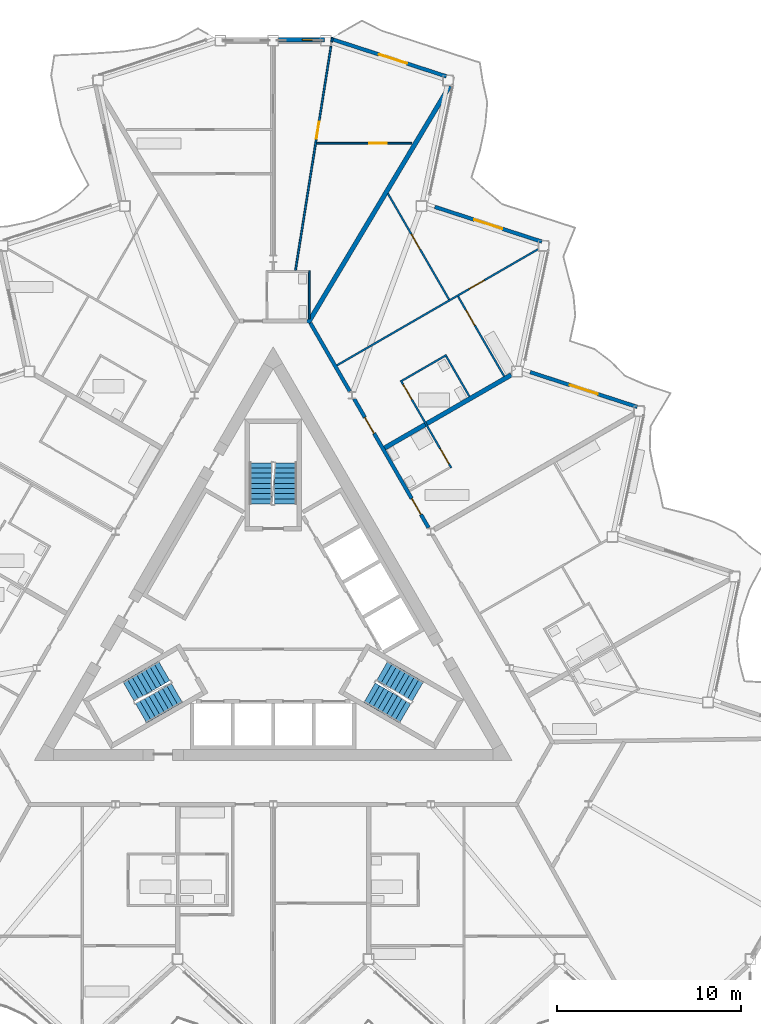
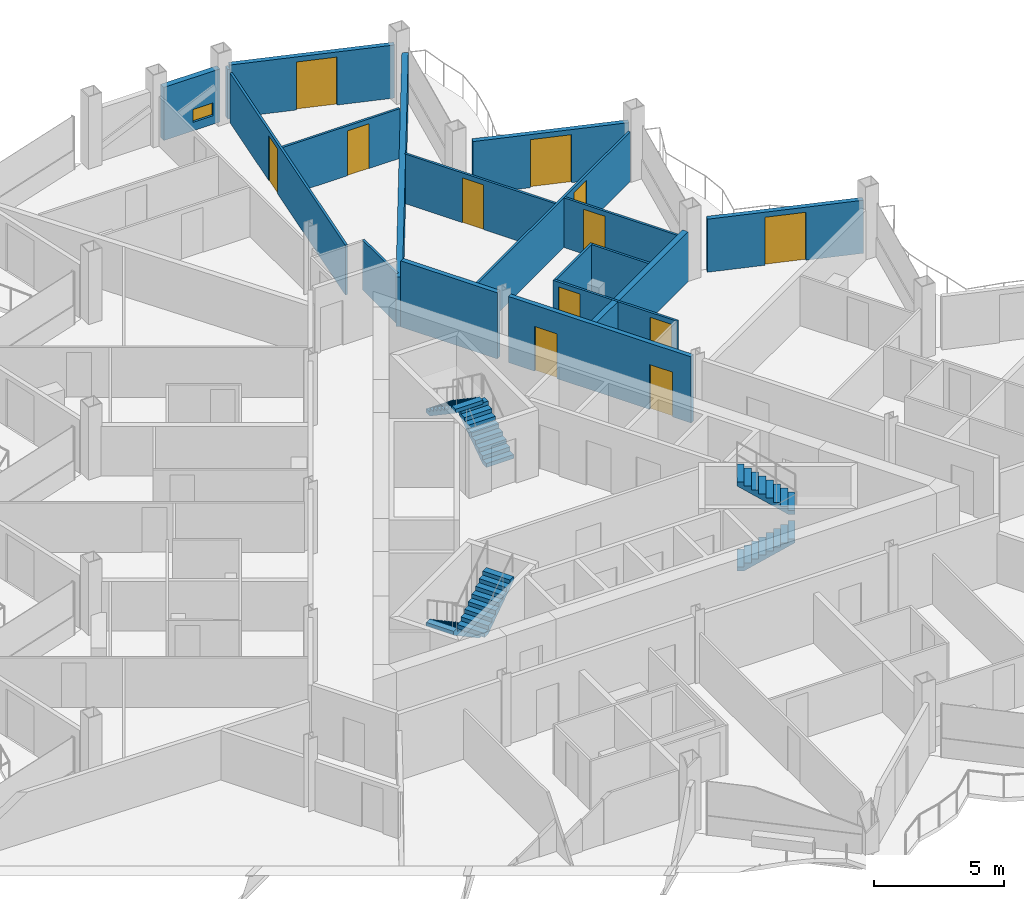
# One storey, part 18 of 26: 18 walls, 12 doors, 6 stair flights, 1 window, 13 openings, 3 elements without a shape of their own.
"""IFC4 building model written with IfcOpenShell, lengths in metres."""

from ifc_helpers import new_model, si_unit, direction, frame, frame_2d, origin, place, context, subcontext, project, spatial, polyline, rectangle, outline, extrude, material, layer, layer_set, type_object, element, fill, aggregate, save


model = new_model("IFC4")

# Units and contexts
model_context = context("Model", 3, precision=1e-05, world=origin(), true_north=direction((0.0, 1.0)))
body_context = subcontext(model_context, "Body", "Model", "MODEL_VIEW")
ifc_project = project(units=[si_unit("LENGTHUNIT", "METRE"), si_unit("AREAUNIT", "SQUARE_METRE"), si_unit("VOLUMEUNIT", "CUBIC_METRE"), si_unit("PLANEANGLEUNIT", "RADIAN"), si_unit("MASSUNIT", "GRAM", prefix="KILO")], contexts=[model_context])

# Site, building, storey
site_placement = place(None, origin())
site = spatial("IfcSite", under=ifc_project, at=site_placement, CompositionType="ELEMENT")
building_placement = place(site_placement, origin())
building = spatial("IfcBuilding", under=site, at=building_placement, Name="Cormorant Prow Tower", CompositionType="ELEMENT")
storey_placement = place(building_placement, frame((0.0, 0.0, 325.60009765625)))
storey = spatial("IfcBuildingStorey", under=building, at=storey_placement, Name="L72", CompositionType="ELEMENT", Elevation=325.60009765625)

# Wall, openings, doors
ifc_material_1 = material(Name="Gypsum board corridor wall")
ifc_layer_1 = layer(ifc_material_1, 0.199951171875)
ifc_layer_set_1 = layer_set([ifc_layer_1], Name="Gypsum board corridor wall")
wall_type_1 = type_object("IfcWallType", Name="Corridor wall 200", PredefinedType="PARTITIONING", material=ifc_layer_set_1)
wall_1_placement = place(storey_placement, frame((4.4091796875, 12.17431640625, 0.0), z_axis=(0.0, 0.0, 1.0), x_axis=(0.499984266882, -0.866034487114, 0.0)))
wall_1 = element("IfcWall", 1, at=wall_1_placement, inside=storey, type_object=wall_type_1, Name="Corridor wall", PredefinedType="PARTITIONING", context=body_context, shape_type="SweptSolid", body=[
    extrude(rectangle(XDim=8.098876953125, YDim=0.199951171875, at=frame_2d((4.04931640625, 0.0))), origin(), (0.0, 0.0, 1.0), 3.099853515625),
])
opening_1_placement = place(wall_1_placement, frame((6.268798828125, 0.0, 0.0)))
opening_1 = element("IfcOpeningElement", 2, at=opening_1_placement, cuts=wall_1, Name="Opening L72-F25", PredefinedType="OPENING", context=body_context, shape_type="SweptSolid", body=[
    extrude(rectangle(XDim=1.0, YDim=2.10009765625, at=frame_2d((0.5, 1.050048828125))), frame((0.0, 0.10986328125, 0.0), z_axis=(0.0, -1.0, 0.0), x_axis=(1.0, 0.0, 0.0)), (0.0, 0.0, 1.0), 0.219970703125),
])
opening_2_placement = place(wall_1_placement, frame((1.16357421875, 0.0, 0.0)))
opening_2 = element("IfcOpeningElement", 3, at=opening_2_placement, cuts=wall_1, Name="Opening L72-F27", PredefinedType="OPENING", context=body_context, shape_type="SweptSolid", body=[
    extrude(rectangle(XDim=1.0, YDim=2.10009765625, at=frame_2d((0.5, 1.050048828125))), frame((0.0, 0.10986328125, 0.0), z_axis=(0.0, -1.0, 0.0), x_axis=(1.0, 0.0, 0.0)), (0.0, 0.0, 1.0), 0.219970703125),
])
ifc_material_2 = material(Name="Timber door leaf", Category="wood")
door_type_1 = type_object("IfcDoorType", Name="Flat or room entrance door 1000x2100", OperationType="NOTDEFINED", PredefinedType="DOOR", material=ifc_material_2)
door_1_placement = place(opening_1_placement, origin())
door_1 = element("IfcDoor", 4, at=door_1_placement, inside=storey, type_object=door_type_1, Name="Studio living, kitchen and sleeping room door", OperationType="SINGLE_SWING_LEFT", OverallHeight=2.10009765625, OverallWidth=1.0, PredefinedType="DOOR", context=body_context, shape_type="SweptSolid", body=[
    extrude(rectangle(XDim=1.0, YDim=2.10009765625, at=frame_2d((0.5, 1.050048828125))), frame((0.0, 0.02490234375, 0.0), z_axis=(0.0, -1.0, 0.0), x_axis=(1.0, 0.0, 0.0)), (0.0, 0.0, 1.0), 0.050048828125),
])
fill(opening_1, door_1)
door_2_placement = place(opening_2_placement, origin())
door_2 = element("IfcDoor", 5, at=door_2_placement, inside=storey, type_object=door_type_1, Name="Living room door", OperationType="SINGLE_SWING_RIGHT", OverallHeight=2.10009765625, OverallWidth=1.0, PredefinedType="DOOR", context=body_context, shape_type="SweptSolid", body=[
    extrude(rectangle(XDim=1.0, YDim=2.10009765625, at=frame_2d((0.5, 1.050048828125))), frame((0.0, 0.02490234375, 0.0), z_axis=(0.0, -1.0, 0.0), x_axis=(1.0, 0.0, 0.0)), (0.0, 0.0, 1.0), 0.050048828125),
])
fill(opening_2, door_2)

# Wall
wall_2_placement = place(storey_placement, frame((2.025390625, 16.302978515625, 0.0), z_axis=(0.0, 0.0, 1.0), x_axis=(0.499978750566, -0.866037671803, 0.0)))
element("IfcWall", 6, at=wall_2_placement, inside=storey, type_object=wall_type_1, Name="Corridor wall", PredefinedType="PARTITIONING", context=body_context, shape_type="SweptSolid", body=[
    extrude(rectangle(XDim=4.287841796875, YDim=0.199951171875, at=frame_2d((2.14404296875, 0.0))), origin(), (0.0, 0.0, 1.0), 3.099853515625),
])

# Wall, opening, door
ifc_material_3 = material(Name="Gypsum board partition")
ifc_layer_2 = layer(ifc_material_3, 0.10009765625)
ifc_layer_set_2 = layer_set([ifc_layer_2], Name="Gypsum board partition")
wall_type_2 = type_object("IfcWallType", Name="Internal partition 100", PredefinedType="PARTITIONING", material=ifc_layer_set_2)
wall_3_placement = place(storey_placement, frame((3.470458984375, 14.000244140625, 0.0), z_axis=(0.0, 0.0, 1.0), x_axis=(0.866021216079, 0.500007253249, 0.0)))
wall_3 = element("IfcWall", 7, at=wall_3_placement, inside=storey, type_object=wall_type_2, Name="Internal partition", PredefinedType="PARTITIONING", context=body_context, shape_type="SweptSolid", body=[
    extrude(rectangle(XDim=12.639404296875, YDim=0.10009765625, at=frame_2d((6.31982421875, 0.0))), origin(), (0.0, 0.0, 1.0), 2.330078125),
])
opening_3_placement = place(wall_3_placement, frame((8.314453125, 0.0, 0.0)))
opening_3 = element("IfcOpeningElement", 8, at=opening_3_placement, cuts=wall_3, Name="Opening L72-F30", PredefinedType="OPENING", context=body_context, shape_type="SweptSolid", body=[
    extrude(rectangle(XDim=0.949951171875, YDim=2.10009765625, at=frame_2d((0.47509765625, 1.050048828125))), frame((0.0, 0.06005859375, 0.0), z_axis=(0.0, -1.0, 0.0), x_axis=(1.0, 0.0, 0.0)), (0.0, 0.0, 1.0), 0.1201171875),
])
ifc_material_4 = material(Name="Timber door leaf", Category="wood")
door_type_2 = type_object("IfcDoorType", Name="Bathroom door 950x2100", OperationType="NOTDEFINED", PredefinedType="DOOR", material=ifc_material_4)
door_3_placement = place(opening_3_placement, origin())
door_3 = element("IfcDoor", 9, at=door_3_placement, inside=storey, type_object=door_type_2, Name="Kitchen door", OperationType="SINGLE_SWING_LEFT", OverallHeight=2.10009765625, OverallWidth=0.949951171875, PredefinedType="DOOR", context=body_context, shape_type="SweptSolid", body=[
    extrude(rectangle(XDim=0.949951171875, YDim=2.10009765625, at=frame_2d((0.47509765625, 1.050048828125))), frame((0.0, 0.02490234375, 0.0), z_axis=(0.0, -1.0, 0.0), x_axis=(1.0, 0.0, 0.0)), (0.0, 0.0, 1.0), 0.050048828125),
])
fill(opening_3, door_3)

wall_4_placement = place(storey_placement, frame((1.21337890625, 19.160400390625, 0.0), z_axis=(0.0, 0.0, 1.0), x_axis=(0.156426176129, 0.987689653394, 0.0)))
wall_4 = element("IfcWall", 10, at=wall_4_placement, inside=storey, type_object=wall_type_2, Name="Internal partition", PredefinedType="PARTITIONING", context=body_context, shape_type="SweptSolid", body=[
    extrude(rectangle(XDim=12.35791015625, YDim=0.10009765625, at=frame_2d((6.178955078125, 0.0))), origin(), (0.0, 0.0, 1.0), 2.330078125),
])
opening_4_placement = place(wall_4_placement, frame((7.2548828125, 0.0, 0.0)))
opening_4 = element("IfcOpeningElement", 11, at=opening_4_placement, cuts=wall_4, Name="Opening L72-F37", PredefinedType="OPENING", context=body_context, shape_type="SweptSolid", body=[
    extrude(rectangle(XDim=0.949951171875, YDim=2.10009765625, at=frame_2d((0.47509765625, 1.050048828125))), frame((0.0, 0.06005859375, 0.0), z_axis=(0.0, -1.0, 0.0), x_axis=(1.0, 0.0, 0.0)), (0.0, 0.0, 1.0), 0.1201171875),
])
door_4_placement = place(opening_4_placement, origin())
door_4 = element("IfcDoor", 12, at=door_4_placement, inside=storey, type_object=door_type_2, Name="Bedroom door", OperationType="SINGLE_SWING_LEFT", OverallHeight=2.10009765625, OverallWidth=0.949951171875, PredefinedType="DOOR", context=body_context, shape_type="SweptSolid", body=[
    extrude(rectangle(XDim=0.949951171875, YDim=2.10009765625, at=frame_2d((0.47509765625, 1.050048828125))), frame((0.0, 0.02490234375, 0.0), z_axis=(0.0, -1.0, 0.0), x_axis=(1.0, 0.0, 0.0)), (0.0, 0.0, 1.0), 0.050048828125),
])
fill(opening_4, door_4)

wall_5_placement = place(storey_placement, frame((6.2412109375, 23.357421875, 0.0), z_axis=(0.0, 0.0, 1.0), x_axis=(0.499998189891, -0.866026448849, 0.0)))
wall_5 = element("IfcWall", 13, at=wall_5_placement, inside=storey, type_object=wall_type_2, Name="Internal partition", PredefinedType="PARTITIONING", context=body_context, shape_type="SweptSolid", body=[
    extrude(rectangle(XDim=6.66796875, YDim=0.10009765625, at=frame_2d((3.333984375, 0.0))), origin(), (0.0, 0.0, 1.0), 2.330078125),
])
opening_5_placement = place(wall_5_placement, frame((2.557861328125, 0.0, 0.0)))
opening_5 = element("IfcOpeningElement", 14, at=opening_5_placement, cuts=wall_5, Name="Opening L72-F31", PredefinedType="OPENING", context=body_context, shape_type="SweptSolid", body=[
    extrude(rectangle(XDim=0.949951171875, YDim=2.10009765625, at=frame_2d((0.47509765625, 1.050048828125))), frame((0.0, 0.06005859375, 0.0), z_axis=(0.0, -1.0, 0.0), x_axis=(1.0, 0.0, 0.0)), (0.0, 0.0, 1.0), 0.1201171875),
])
door_5_placement = place(opening_5_placement, origin())
door_5 = element("IfcDoor", 15, at=door_5_placement, inside=storey, type_object=door_type_2, Name="Bedroom door", OperationType="SINGLE_SWING_LEFT", OverallHeight=2.10009765625, OverallWidth=0.949951171875, PredefinedType="DOOR", context=body_context, shape_type="SweptSolid", body=[
    extrude(rectangle(XDim=0.949951171875, YDim=2.10009765625, at=frame_2d((0.47509765625, 1.050048828125))), frame((0.0, 0.02490234375, 0.0), z_axis=(0.0, -1.0, 0.0), x_axis=(1.0, 0.0, 0.0)), (0.0, 0.0, 1.0), 0.050048828125),
])
fill(opening_5, door_5)

# Wall, openings, doors
wall_6_placement = place(storey_placement, frame((6.9443359375, 13.18310546875, 0.0), z_axis=(0.0, 0.0, 1.0), x_axis=(0.499996545922, -0.866027397988, 0.0)))
wall_6 = element("IfcWall", 16, at=wall_6_placement, inside=storey, type_object=wall_type_2, Name="Internal partition", PredefinedType="PARTITIONING", context=body_context, shape_type="SweptSolid", body=[
    extrude(rectangle(XDim=5.5, YDim=0.10009765625, at=frame_2d((2.75, 0.0))), origin(), (0.0, 0.0, 1.0), 2.330078125),
])
opening_6_placement = place(wall_6_placement, frame((4.300048828125, 0.0, 0.0)))
opening_6 = element("IfcOpeningElement", 17, at=opening_6_placement, cuts=wall_6, Name="Opening L72-F26", PredefinedType="OPENING", context=body_context, shape_type="SweptSolid", body=[
    extrude(rectangle(XDim=0.949951171875, YDim=2.10009765625, at=frame_2d((0.47509765625, 1.050048828125))), frame((0.0, 0.06005859375, 0.0), z_axis=(0.0, -1.0, 0.0), x_axis=(1.0, 0.0, 0.0)), (0.0, 0.0, 1.0), 0.1201171875),
])
opening_7_placement = place(wall_6_placement, frame((0.25, 0.0, 0.0)))
opening_7 = element("IfcOpeningElement", 18, at=opening_7_placement, cuts=wall_6, Name="Opening L72-F28", PredefinedType="OPENING", context=body_context, shape_type="SweptSolid", body=[
    extrude(rectangle(XDim=0.949951171875, YDim=2.10009765625, at=frame_2d((0.47509765625, 1.050048828125))), frame((0.0, 0.06005859375, 0.0), z_axis=(0.0, -1.0, 0.0), x_axis=(1.0, 0.0, 0.0)), (0.0, 0.0, 1.0), 0.1201171875),
])
door_6_placement = place(opening_6_placement, origin())
door_6 = element("IfcDoor", 19, at=door_6_placement, inside=storey, type_object=door_type_2, Name="Studio living, kitchen and sleeping room door", OperationType="SINGLE_SWING_RIGHT", OverallHeight=2.10009765625, OverallWidth=0.949951171875, PredefinedType="DOOR", context=body_context, shape_type="SweptSolid", body=[
    extrude(rectangle(XDim=0.949951171875, YDim=2.10009765625, at=frame_2d((0.47509765625, 1.050048828125))), frame((0.0, 0.02490234375, 0.0), z_axis=(0.0, -1.0, 0.0), x_axis=(1.0, 0.0, 0.0)), (0.0, 0.0, 1.0), 0.050048828125),
])
fill(opening_6, door_6)
door_7_placement = place(opening_7_placement, origin())
door_7 = element("IfcDoor", 20, at=door_7_placement, inside=storey, type_object=door_type_2, Name="Living room door", OperationType="SINGLE_SWING_LEFT", OverallHeight=2.10009765625, OverallWidth=0.949951171875, PredefinedType="DOOR", context=body_context, shape_type="SweptSolid", body=[
    extrude(rectangle(XDim=0.949951171875, YDim=2.10009765625, at=frame_2d((0.47509765625, 1.050048828125))), frame((0.0, 0.02490234375, 0.0), z_axis=(0.0, -1.0, 0.0), x_axis=(1.0, 0.0, 0.0)), (0.0, 0.0, 1.0), 0.050048828125),
])
fill(opening_7, door_7)

# Wall, opening, door
wall_7_placement = place(storey_placement, frame((2.36083984375, 26.090087890625, 0.0), z_axis=(0.0, 0.0, 1.0), x_axis=(1.0, 0.0, 0.0)))
wall_7 = element("IfcWall", 21, at=wall_7_placement, inside=storey, type_object=wall_type_2, Name="Internal partition", PredefinedType="PARTITIONING", context=body_context, shape_type="SweptSolid", body=[
    extrude(rectangle(XDim=5.190185546875, YDim=0.10009765625, at=frame_2d((2.59521484375, 0.0))), origin(), (0.0, 0.0, 1.0), 2.330078125),
])
opening_8_placement = place(wall_7_placement, frame((2.878173828125, 0.0, 0.0)))
opening_8 = element("IfcOpeningElement", 22, at=opening_8_placement, cuts=wall_7, Name="Opening L72-F38", PredefinedType="OPENING", context=body_context, shape_type="SweptSolid", body=[
    extrude(rectangle(XDim=0.949951171875, YDim=2.10009765625, at=frame_2d((0.47509765625, 1.050048828125))), frame((0.0, 0.06005859375, 0.0), z_axis=(0.0, -1.0, 0.0), x_axis=(1.0, 0.0, 0.0)), (0.0, 0.0, 1.0), 0.1201171875),
])
door_8_placement = place(opening_8_placement, origin())
door_8 = element("IfcDoor", 23, at=door_8_placement, inside=storey, type_object=door_type_2, Name="Bedroom door", OperationType="SINGLE_SWING_LEFT", OverallHeight=2.10009765625, OverallWidth=0.949951171875, PredefinedType="DOOR", context=body_context, shape_type="SweptSolid", body=[
    extrude(rectangle(XDim=0.949951171875, YDim=2.10009765625, at=frame_2d((0.47509765625, 1.050048828125))), frame((0.0, 0.02490234375, 0.0), z_axis=(0.0, -1.0, 0.0), x_axis=(1.0, 0.0, 0.0)), (0.0, 0.0, 1.0), 0.050048828125),
])
fill(opening_8, door_8)

wall_8_placement = place(storey_placement, frame((10.065185546875, 17.75, 0.0), z_axis=(0.0, 0.0, 1.0), x_axis=(0.499989096993, -0.866031698547, 0.0)))
wall_8 = element("IfcWall", 24, at=wall_8_placement, inside=storey, type_object=wall_type_2, Name="Internal partition", PredefinedType="PARTITIONING", context=body_context, shape_type="SweptSolid", body=[
    extrude(rectangle(XDim=5.01953125, YDim=0.10009765625, at=frame_2d((2.509765625, 0.0))), origin(), (0.0, 0.0, 1.0), 2.330078125),
])
opening_9_placement = place(wall_8_placement, frame((0.862060546875, 0.0, 0.0)))
opening_9 = element("IfcOpeningElement", 25, at=opening_9_placement, cuts=wall_8, Name="Opening L72-F29", PredefinedType="OPENING", context=body_context, shape_type="SweptSolid", body=[
    extrude(rectangle(XDim=0.949951171875, YDim=2.10009765625, at=frame_2d((0.47509765625, 1.050048828125))), frame((0.0, 0.06005859375, 0.0), z_axis=(0.0, -1.0, 0.0), x_axis=(1.0, 0.0, 0.0)), (0.0, 0.0, 1.0), 0.1201171875),
])
door_9_placement = place(opening_9_placement, origin())
door_9 = element("IfcDoor", 26, at=door_9_placement, inside=storey, type_object=door_type_2, Name="Living room door", OperationType="SINGLE_SWING_LEFT", OverallHeight=2.10009765625, OverallWidth=0.949951171875, PredefinedType="DOOR", context=body_context, shape_type="SweptSolid", body=[
    extrude(rectangle(XDim=0.949951171875, YDim=2.10009765625, at=frame_2d((0.47509765625, 1.050048828125))), frame((0.0, 0.02490234375, 0.0), z_axis=(0.0, -1.0, 0.0), x_axis=(1.0, 0.0, 0.0)), (0.0, 0.0, 1.0), 0.050048828125),
])
fill(opening_9, door_9)

# Walls
wall_9_placement = place(storey_placement, frame((7.0126953125, 13.164794921875, 0.0), z_axis=(0.0, 0.0, 1.0), x_axis=(0.866034573852, 0.49998411664, 0.0)))
element("IfcWall", 27, at=wall_9_placement, inside=storey, type_object=wall_type_2, Name="Internal partition", PredefinedType="PARTITIONING", context=body_context, shape_type="SweptSolid", body=[
    extrude(rectangle(XDim=2.7998046875, YDim=0.10009765625, at=frame_2d((1.39990234375, 0.0))), origin(), (0.0, 0.0, 1.0), 2.330078125),
])
wall_10_placement = place(storey_placement, frame((1.962890625, 16.5361328125, 0.0), z_axis=(0.0, 0.0, 1.0), x_axis=(0.0, 1.0, 0.0)))
element("IfcWall", 28, at=wall_10_placement, inside=storey, type_object=wall_type_2, Name="Internal partition", PredefinedType="PARTITIONING", context=body_context, shape_type="SweptSolid", body=[
    extrude(rectangle(XDim=2.625, YDim=0.10009765625, at=frame_2d((1.3125, 0.0))), origin(), (0.0, 0.0, 1.0), 2.330078125),
])
wall_11_placement = place(storey_placement, frame((9.419189453125, 14.49658203125, 0.0), z_axis=(0.0, 0.0, 1.0), x_axis=(0.499976333282, -0.866039067339, 0.0)))
element("IfcWall", 29, at=wall_11_placement, inside=storey, type_object=wall_type_2, Name="Internal partition", PredefinedType="PARTITIONING", context=body_context, shape_type="SweptSolid", body=[
    extrude(rectangle(XDim=2.52490234375, YDim=0.10009765625, at=frame_2d((1.262451171875, 0.0))), origin(), (0.0, 0.0, 1.0), 2.330078125),
])
wall_12_placement = place(storey_placement, frame((3.183837890625, 31.601318359375, 0.0), z_axis=(0.0, 0.0, 1.0), x_axis=(0.156307264128, 0.987708478844, 0.0)))
element("IfcWall", 30, at=wall_12_placement, inside=storey, type_object=wall_type_2, Name="Internal partition", PredefinedType="PARTITIONING", context=body_context, shape_type="SweptSolid", body=[
    extrude(rectangle(XDim=0.254638671875, YDim=0.10009765625, at=frame_2d((0.12744140625, 0.0))), origin(), (0.0, 0.0, 1.0), 2.330078125),
])
ifc_material_5 = material(Name="Acoustic gypsum party wall")
ifc_layer_3 = layer(ifc_material_5, 0.25)
ifc_layer_set_3 = layer_set([ifc_layer_3], Name="Acoustic gypsum party wall")
wall_type_3 = type_object("IfcWallType", Name="Suite party wall 250", PredefinedType="PARTITIONING", material=ifc_layer_set_3)
wall_13_placement = place(storey_placement, frame((1.89892578125, 16.3037109375, 0.0), z_axis=(0.0, 0.0, 1.0), x_axis=(0.512977925681, 0.858401798556, 0.0)))
element("IfcWall", 31, at=wall_13_placement, inside=storey, type_object=wall_type_3, Name="Suite party wall", PredefinedType="PARTITIONING", context=body_context, shape_type="SweptSolid", body=[
    extrude(rectangle(XDim=15.0283203125, YDim=0.25, at=frame_2d((7.51416015625, 0.0))), origin(), (0.0, 0.0, 1.0), 2.330078125),
])
wall_14_placement = place(storey_placement, frame((6.067626953125, 9.50146484375, 0.0), z_axis=(0.0, 0.0, 1.0), x_axis=(0.866022671543, 0.50000473235, 0.0)))
element("IfcWall", 32, at=wall_14_placement, inside=storey, type_object=wall_type_3, Name="Suite party wall", PredefinedType="PARTITIONING", context=body_context, shape_type="SweptSolid", body=[
    extrude(rectangle(XDim=7.9609375, YDim=0.25, at=frame_2d((3.98046875, 0.0))), origin(), (0.0, 0.0, 1.0), 2.330078125),
])

# Wall, opening, window
ifc_material_6 = material(Name="Terracotta", Category="masonry")
ifc_layer_4 = layer(ifc_material_6, 0.25)
ifc_layer_set_4 = layer_set([ifc_layer_4], Name="Terracotta")
wall_type_4 = type_object("IfcWallType", Name="Terracotta bay wall 250", PredefinedType="SOLIDWALL", material=ifc_layer_set_4)
wall_15_placement = place(storey_placement, frame((2.78955078125, 31.727783203125, 0.0), z_axis=(0.0, 0.0, 1.0), x_axis=(-1.0, 0.0, 0.0)))
wall_15 = element("IfcWall", 33, at=wall_15_placement, inside=storey, type_object=wall_type_4, Name="Terracotta bay wall N00", PredefinedType="SOLIDWALL", context=body_context, shape_type="SweptSolid", body=[
    extrude(rectangle(XDim=2.489501953125, YDim=0.25, at=frame_2d((1.24462890625, 0.0))), origin(), (0.0, 0.0, 1.0), 2.48779296875),
])
opening_10_placement = place(wall_15_placement, frame((0.300048828125, 0.0, 0.39990234375)))
opening_10 = element("IfcOpeningElement", 34, at=opening_10_placement, cuts=wall_15, Name="Opening WN7", PredefinedType="OPENING", context=body_context, shape_type="SweptSolid", body=[
    extrude(rectangle(XDim=0.89990234375, YDim=0.60009765625, at=frame_2d((0.449951171875, 0.300048828125))), frame((0.0, 0.135009765625, 0.0), z_axis=(0.0, -1.0, 0.0), x_axis=(1.0, 0.0, 0.0)), (0.0, 0.0, 1.0), 0.27001953125),
])
ifc_material_7 = material(Name="Aluminium 6063-T6", Category="aluminium")
window_type = type_object("IfcWindowType", Name="Corner bay window 900x600", PartitioningType="SINGLE_PANEL", PredefinedType="WINDOW", material=ifc_material_7)
window_placement = place(opening_10_placement, origin())
window = element("IfcWindow", 35, at=window_placement, inside=storey, type_object=window_type, Name="Corner bay window N00", OverallHeight=0.60009765625, OverallWidth=0.89990234375, PartitioningType="SINGLE_PANEL", PredefinedType="WINDOW", context=body_context, shape_type="SweptSolid", body=[
    extrude(rectangle(XDim=0.89990234375, YDim=0.60009765625, at=frame_2d((0.449951171875, 0.300048828125))), frame((0.0, 0.030029296875, 0.0), z_axis=(0.0, -1.0, 0.0), x_axis=(1.0, 0.0, 0.0)), (0.0, 0.0, 1.0), 0.06005859375),
])
fill(opening_10, window)

# Wall, opening, door
ifc_material_8 = material(Name="Terracotta", Category="masonry")
ifc_layer_5 = layer(ifc_material_8, 0.199951171875)
ifc_layer_set_5 = layer_set([ifc_layer_5], Name="Terracotta")
wall_type_5 = type_object("IfcWallType", Name="Terracotta jamb wall 200", PredefinedType="SOLIDWALL", material=ifc_layer_set_5)
wall_16_placement = place(storey_placement, frame((19.8173828125, 11.73681640625, 0.0), z_axis=(0.0, 0.0, 1.0), x_axis=(-0.951056631566, 0.309016639608, 0.0)))
wall_16 = element("IfcWall", 36, at=wall_16_placement, inside=storey, type_object=wall_type_5, Name="Terracotta jamb wall ENE05", PredefinedType="SOLIDWALL", context=body_context, shape_type="SweptSolid", body=[
    extrude(rectangle(XDim=6.1220703125, YDim=0.199951171875, at=frame_2d((3.06103515625, 0.0))), origin(), (0.0, 0.0, 1.0), 2.48779296875),
])
opening_11_placement = place(wall_16_placement, frame((2.260986328125, 0.0, 0.0)))
opening_11 = element("IfcOpeningElement", 37, at=opening_11_placement, cuts=wall_16, Name="Opening ED72.08", PredefinedType="OPENING", context=body_context, shape_type="SweptSolid", body=[
    extrude(rectangle(XDim=1.60009765625, YDim=2.25, at=frame_2d((0.800048828125, 1.125))), frame((0.0, 0.10986328125, 0.0), z_axis=(0.0, -1.0, 0.0), x_axis=(1.0, 0.0, 0.0)), (0.0, 0.0, 1.0), 0.219970703125),
])
ifc_material_9 = material(Name="Aluminium 6063-T6", Category="aluminium")
door_type_3 = type_object("IfcDoorType", Name="Balcony door 1600x2250", OperationType="DOUBLE_DOOR_SINGLE_SWING", PredefinedType="DOOR", material=ifc_material_9)
door_10_placement = place(opening_11_placement, origin())
door_10 = element("IfcDoor", 38, at=door_10_placement, inside=storey, type_object=door_type_3, Name="Balcony door ENE05 ED72.08", OperationType="DOUBLE_DOOR_SINGLE_SWING", OverallHeight=2.25, OverallWidth=1.60009765625, PredefinedType="DOOR", context=body_context, shape_type="SweptSolid", body=[
    extrude(rectangle(XDim=1.60009765625, YDim=2.25, at=frame_2d((0.800048828125, 1.125))), frame((0.0, 0.02490234375, 0.0), z_axis=(0.0, -1.0, 0.0), x_axis=(1.0, 0.0, 0.0)), (0.0, 0.0, 1.0), 0.050048828125),
])
fill(opening_11, door_10)

wall_17_placement = place(storey_placement, frame((14.622802734375, 20.734130859375, 0.0), z_axis=(0.0, 0.0, 1.0), x_axis=(-0.951056631566, 0.309016639608, 0.0)))
wall_17 = element("IfcWall", 39, at=wall_17_placement, inside=storey, type_object=wall_type_5, Name="Terracotta jamb wall ENE07", PredefinedType="SOLIDWALL", context=body_context, shape_type="SweptSolid", body=[
    extrude(rectangle(XDim=6.1220703125, YDim=0.199951171875, at=frame_2d((3.06103515625, 0.0))), origin(), (0.0, 0.0, 1.0), 2.48779296875),
])
opening_12_placement = place(wall_17_placement, frame((2.260986328125, 0.0, 0.0)))
opening_12 = element("IfcOpeningElement", 40, at=opening_12_placement, cuts=wall_17, Name="Opening ED72.09", PredefinedType="OPENING", context=body_context, shape_type="SweptSolid", body=[
    extrude(rectangle(XDim=1.60009765625, YDim=2.25, at=frame_2d((0.800048828125, 1.125))), frame((0.0, 0.10986328125, 0.0), z_axis=(0.0, -1.0, 0.0), x_axis=(1.0, 0.0, 0.0)), (0.0, 0.0, 1.0), 0.219970703125),
])
door_11_placement = place(opening_12_placement, origin())
door_11 = element("IfcDoor", 41, at=door_11_placement, inside=storey, type_object=door_type_3, Name="Balcony door ENE07 ED72.09", OperationType="DOUBLE_DOOR_SINGLE_SWING", OverallHeight=2.25, OverallWidth=1.60009765625, PredefinedType="DOOR", context=body_context, shape_type="SweptSolid", body=[
    extrude(rectangle(XDim=1.60009765625, YDim=2.25, at=frame_2d((0.800048828125, 1.125))), frame((0.0, 0.02490234375, 0.0), z_axis=(0.0, -1.0, 0.0), x_axis=(1.0, 0.0, 0.0)), (0.0, 0.0, 1.0), 0.050048828125),
])
fill(opening_12, door_11)

wall_18_placement = place(storey_placement, frame((9.427978515625, 29.731689453125, 0.0), z_axis=(0.0, 0.0, 1.0), x_axis=(-0.951057057516, 0.309015328664, 0.0)))
wall_18 = element("IfcWall", 42, at=wall_18_placement, inside=storey, type_object=wall_type_5, Name="Terracotta jamb wall ENE09", PredefinedType="SOLIDWALL", context=body_context, shape_type="SweptSolid", body=[
    extrude(rectangle(XDim=6.476806640625, YDim=0.199951171875, at=frame_2d((3.23828125, 0.0))), origin(), (0.0, 0.0, 1.0), 2.48779296875),
])
opening_13_placement = place(wall_18_placement, frame((2.260986328125, 0.0, 0.0)))
opening_13 = element("IfcOpeningElement", 43, at=opening_13_placement, cuts=wall_18, Name="Opening ED72.10", PredefinedType="OPENING", context=body_context, shape_type="SweptSolid", body=[
    extrude(rectangle(XDim=1.60009765625, YDim=2.25, at=frame_2d((0.800048828125, 1.125))), frame((0.0, 0.10986328125, 0.0), z_axis=(0.0, -1.0, 0.0), x_axis=(1.0, 0.0, 0.0)), (0.0, 0.0, 1.0), 0.219970703125),
])
door_12_placement = place(opening_13_placement, origin())
door_12 = element("IfcDoor", 44, at=door_12_placement, inside=storey, type_object=door_type_3, Name="Balcony door ENE09 ED72.10", OperationType="DOUBLE_DOOR_SINGLE_SWING", OverallHeight=2.25, OverallWidth=1.60009765625, PredefinedType="DOOR", context=body_context, shape_type="SweptSolid", body=[
    extrude(rectangle(XDim=1.60009765625, YDim=2.25, at=frame_2d((0.800048828125, 1.125))), frame((0.0, 0.02490234375, 0.0), z_axis=(0.0, -1.0, 0.0), x_axis=(1.0, 0.0, 0.0)), (0.0, 0.0, 1.0), 0.050048828125),
])
fill(opening_13, door_12)

# Stair, stair flights
ifc_material_10 = material(Name="Exit stair 18 risers")
stair_type = type_object("IfcStairType", Name="Exit stair 18 risers", PredefinedType="HALF_TURN_STAIR", material=ifc_material_10)
stair_1_placement = place(storey_placement, origin())
stair_1 = element("IfcStair", 45, at=stair_1_placement, inside=storey, type_object=stair_type, Name="L72 Exit stair ST1", PredefinedType="HALF_TURN_STAIR")
ifc_material_11 = material(Name="Concrete 5000 psi", Category="concrete")
stair_flight_type = type_object("IfcStairFlightType", Name="Stair flight 1219", PredefinedType="STRAIGHT", material=ifc_material_11)
stair_flight_1_placement = place(storey_placement, frame((-5.93310546875, -2.635009765625, 0.0), z_axis=(0.0, 0.0, 1.0), x_axis=(-0.866025403784, -0.5, 0.0)))
stair_flight_1 = element("IfcStairFlight", 46, at=stair_flight_1_placement, type_object=stair_flight_type, Name="ST1 flight 1", NumberOfRisers=9, NumberOfTreads=8, PredefinedType="STRAIGHT", RiserHeight=0.188888889, TreadLength=0.28, context=body_context, shape_type="SweptSolid", body=[
    extrude(outline(polyline([(0.0, 0.0), (0.0, 0.18896484375), (0.280029296875, 0.18896484375), (0.280029296875, 0.377685546875), (0.56005859375, 0.377685546875), (0.56005859375, 0.566650390625), (0.840087890625, 0.566650390625), (0.840087890625, 0.755615234375), (1.1201171875, 0.755615234375), (1.1201171875, 0.9443359375), (1.39990234375, 0.9443359375), (1.39990234375, 1.13330078125), (1.679931640625, 1.13330078125), (1.679931640625, 1.322265625), (1.9599609375, 1.322265625), (1.9599609375, 1.51123046875), (2.239990234375, 1.51123046875), (2.239990234375, 1.699951171875), (2.239990234375, 1.330322265625), (0.26806640625, 0.0), (0.0, 0.0)])), frame((0.0, 0.609375, 0.0), z_axis=(0.0, -1.0, 0.0), x_axis=(1.0, 0.0, 0.0)), (0.0, 0.0, 1.0), 1.218994140625),
])
stair_flight_2_placement = place(storey_placement, frame((-7.1884765625, -4.940673828125, 1.699951171875), z_axis=(0.0, 0.0, 1.0), x_axis=(0.866025403784, 0.5, 0.0)))
stair_flight_2 = element("IfcStairFlight", 47, at=stair_flight_2_placement, type_object=stair_flight_type, Name="ST1 flight 2", NumberOfRisers=9, NumberOfTreads=8, PredefinedType="STRAIGHT", RiserHeight=0.188888889, TreadLength=0.28, context=body_context, shape_type="SweptSolid", body=[
    extrude(outline(polyline([(0.0, 0.0), (0.0, 0.18896484375), (0.280029296875, 0.18896484375), (0.280029296875, 0.377685546875), (0.56005859375, 0.377685546875), (0.56005859375, 0.566650390625), (0.840087890625, 0.566650390625), (0.840087890625, 0.755615234375), (1.1201171875, 0.755615234375), (1.1201171875, 0.9443359375), (1.39990234375, 0.9443359375), (1.39990234375, 1.13330078125), (1.679931640625, 1.13330078125), (1.679931640625, 1.322265625), (1.9599609375, 1.322265625), (1.9599609375, 1.51123046875), (2.239990234375, 1.51123046875), (2.239990234375, 1.699951171875), (2.239990234375, 1.330322265625), (0.26806640625, 0.0), (0.0, 0.0)])), frame((0.0, 0.609375, 0.0), z_axis=(0.0, -1.0, 0.0), x_axis=(1.0, 0.0, 0.0)), (0.0, 0.0, 1.0), 1.218994140625),
])
aggregate(stair_1, [stair_flight_1, stair_flight_2])

stair_2_placement = place(storey_placement, origin())
stair_2 = element("IfcStair", 48, at=stair_2_placement, inside=storey, type_object=stair_type, Name="L72 Exit stair ST2", PredefinedType="HALF_TURN_STAIR")
stair_flight_3_placement = place(storey_placement, frame((5.24853515625, -3.82080078125, 0.0), z_axis=(0.0, 0.0, 1.0), x_axis=(0.866025403784, -0.5, 0.0)))
stair_flight_3 = element("IfcStairFlight", 49, at=stair_flight_3_placement, type_object=stair_flight_type, Name="ST2 flight 1", NumberOfRisers=9, NumberOfTreads=8, PredefinedType="STRAIGHT", RiserHeight=0.188888889, TreadLength=0.28, context=body_context, shape_type="SweptSolid", body=[
    extrude(outline(polyline([(0.0, 0.0), (0.0, 0.18896484375), (0.280029296875, 0.18896484375), (0.280029296875, 0.377685546875), (0.56005859375, 0.377685546875), (0.56005859375, 0.566650390625), (0.840087890625, 0.566650390625), (0.840087890625, 0.755615234375), (1.1201171875, 0.755615234375), (1.1201171875, 0.9443359375), (1.39990234375, 0.9443359375), (1.39990234375, 1.13330078125), (1.679931640625, 1.13330078125), (1.679931640625, 1.322265625), (1.9599609375, 1.322265625), (1.9599609375, 1.51123046875), (2.239990234375, 1.51123046875), (2.239990234375, 1.699951171875), (2.239990234375, 1.330322265625), (0.26806640625, 0.0), (0.0, 0.0)])), frame((0.0, 0.609375, 0.0), z_axis=(0.0, -1.0, 0.0), x_axis=(1.0, 0.0, 0.0)), (0.0, 0.0, 1.0), 1.218994140625),
])
stair_flight_4_placement = place(storey_placement, frame((7.873046875, -3.755126953125, 1.699951171875), z_axis=(0.0, 0.0, 1.0), x_axis=(-0.866025403784, 0.5, 0.0)))
stair_flight_4 = element("IfcStairFlight", 50, at=stair_flight_4_placement, type_object=stair_flight_type, Name="ST2 flight 2", NumberOfRisers=9, NumberOfTreads=8, PredefinedType="STRAIGHT", RiserHeight=0.188888889, TreadLength=0.28, context=body_context, shape_type="SweptSolid", body=[
    extrude(outline(polyline([(0.0, 0.0), (0.0, 0.18896484375), (0.280029296875, 0.18896484375), (0.280029296875, 0.377685546875), (0.56005859375, 0.377685546875), (0.56005859375, 0.566650390625), (0.840087890625, 0.566650390625), (0.840087890625, 0.755615234375), (1.1201171875, 0.755615234375), (1.1201171875, 0.9443359375), (1.39990234375, 0.9443359375), (1.39990234375, 1.13330078125), (1.679931640625, 1.13330078125), (1.679931640625, 1.322265625), (1.9599609375, 1.322265625), (1.9599609375, 1.51123046875), (2.239990234375, 1.51123046875), (2.239990234375, 1.699951171875), (2.239990234375, 1.330322265625), (0.26806640625, 0.0), (0.0, 0.0)])), frame((0.0, 0.609375, 0.0), z_axis=(0.0, -1.0, 0.0), x_axis=(1.0, 0.0, 0.0)), (0.0, 0.0, 1.0), 1.218994140625),
])
aggregate(stair_2, [stair_flight_3, stair_flight_4])

stair_3_placement = place(storey_placement, origin())
stair_3 = element("IfcStair", 51, at=stair_3_placement, inside=storey, type_object=stair_type, Name="L72 Exit stair ST3", PredefinedType="HALF_TURN_STAIR")
stair_flight_5_placement = place(storey_placement, frame((0.6845703125, 6.455810546875, 0.0), z_axis=(0.0, 0.0, 1.0), x_axis=(0.0, 1.0, 0.0)))
stair_flight_5 = element("IfcStairFlight", 52, at=stair_flight_5_placement, type_object=stair_flight_type, Name="ST3 flight 1", NumberOfRisers=9, NumberOfTreads=8, PredefinedType="STRAIGHT", RiserHeight=0.188888889, TreadLength=0.28, context=body_context, shape_type="SweptSolid", body=[
    extrude(outline(polyline([(0.0, 0.0), (0.0, 0.18896484375), (0.280029296875, 0.18896484375), (0.280029296875, 0.377685546875), (0.56005859375, 0.377685546875), (0.56005859375, 0.566650390625), (0.840087890625, 0.566650390625), (0.840087890625, 0.755615234375), (1.1201171875, 0.755615234375), (1.1201171875, 0.9443359375), (1.39990234375, 0.9443359375), (1.39990234375, 1.13330078125), (1.679931640625, 1.13330078125), (1.679931640625, 1.322265625), (1.9599609375, 1.322265625), (1.9599609375, 1.51123046875), (2.239990234375, 1.51123046875), (2.239990234375, 1.699951171875), (2.239990234375, 1.330322265625), (0.26806640625, 0.0), (0.0, 0.0)])), frame((0.0, 0.609375, 0.0), z_axis=(0.0, -1.0, 0.0), x_axis=(1.0, 0.0, 0.0)), (0.0, 0.0, 1.0), 1.218994140625),
])
stair_flight_6_placement = place(storey_placement, frame((-0.6845703125, 8.69580078125, 1.699951171875), z_axis=(0.0, 0.0, 1.0), x_axis=(0.0, -1.0, 0.0)))
stair_flight_6 = element("IfcStairFlight", 53, at=stair_flight_6_placement, type_object=stair_flight_type, Name="ST3 flight 2", NumberOfRisers=9, NumberOfTreads=8, PredefinedType="STRAIGHT", RiserHeight=0.188888889, TreadLength=0.28, context=body_context, shape_type="SweptSolid", body=[
    extrude(outline(polyline([(0.0, 0.0), (0.0, 0.18896484375), (0.280029296875, 0.18896484375), (0.280029296875, 0.377685546875), (0.56005859375, 0.377685546875), (0.56005859375, 0.566650390625), (0.840087890625, 0.566650390625), (0.840087890625, 0.755615234375), (1.1201171875, 0.755615234375), (1.1201171875, 0.9443359375), (1.39990234375, 0.9443359375), (1.39990234375, 1.13330078125), (1.679931640625, 1.13330078125), (1.679931640625, 1.322265625), (1.9599609375, 1.322265625), (1.9599609375, 1.51123046875), (2.239990234375, 1.51123046875), (2.239990234375, 1.699951171875), (2.239990234375, 1.330322265625), (0.26806640625, 0.0), (0.0, 0.0)])), frame((0.0, 0.609375, 0.0), z_axis=(0.0, -1.0, 0.0), x_axis=(1.0, 0.0, 0.0)), (0.0, 0.0, 1.0), 1.218994140625),
])
aggregate(stair_3, [stair_flight_5, stair_flight_6])

save(model, "model.ifc")
